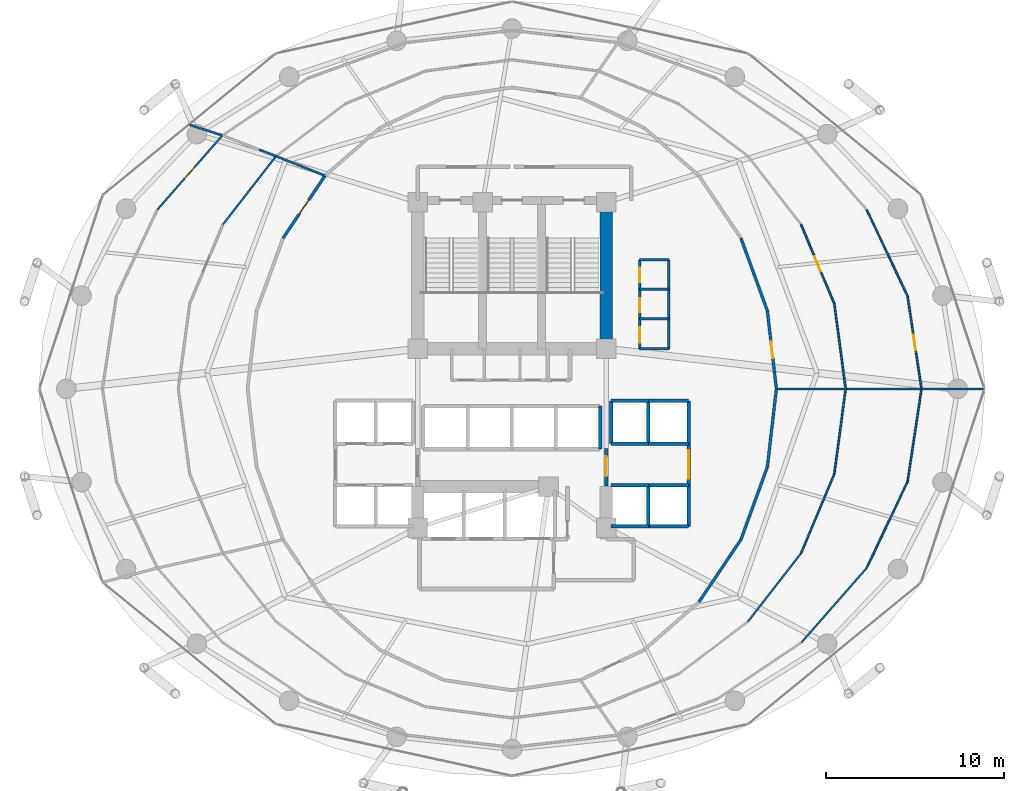
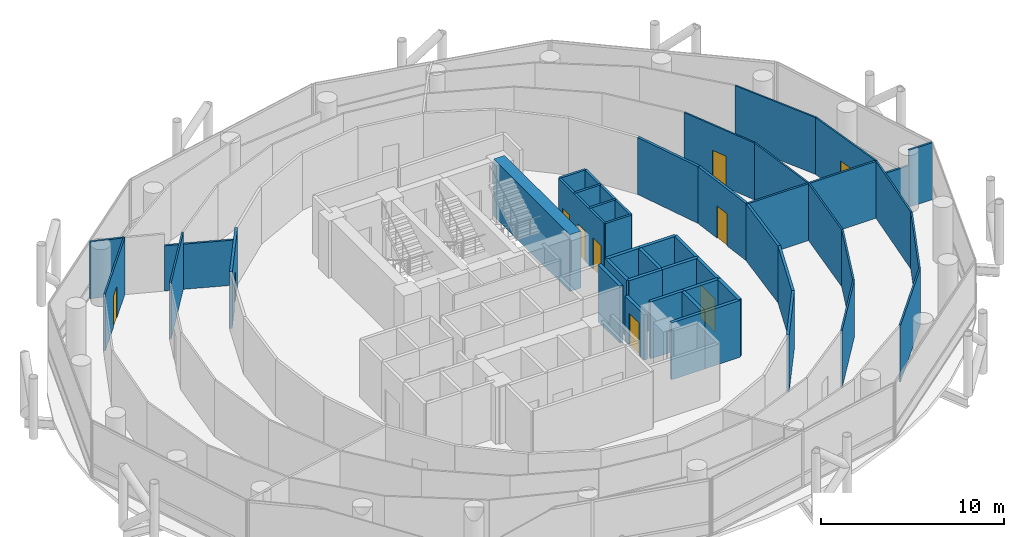
# One storey, part 23 of 26: 48 walls, 10 doors, 10 openings.
"""IFC4 building model written with IfcOpenShell, lengths in metres."""

from ifc_helpers import new_model, si_unit, direction, frame, frame_2d, origin, place, context, subcontext, project, spatial, rectangle, extrude, material, layer, layer_set, type_object, element, fill, save


model = new_model("IFC4")

# Units and contexts
model_context = context("Model", 3, precision=1e-05, world=origin(), true_north=direction((0.0, 1.0)))
body_context = subcontext(model_context, "Body", "Model", "MODEL_VIEW")
ifc_project = project(units=[si_unit("LENGTHUNIT", "METRE"), si_unit("AREAUNIT", "SQUARE_METRE"), si_unit("VOLUMEUNIT", "CUBIC_METRE"), si_unit("PLANEANGLEUNIT", "RADIAN"), si_unit("MASSUNIT", "GRAM", prefix="KILO")], contexts=[model_context])

# Site, building, storey
site_placement = place(None, origin())
site = spatial("IfcSite", under=ifc_project, at=site_placement, CompositionType="ELEMENT")
building_placement = place(site_placement, origin())
building = spatial("IfcBuilding", under=site, at=building_placement, Name="Nuhasar Tower", CompositionType="ELEMENT")
storey_placement = place(building_placement, frame((0.0, 0.0, 97.949951171875)))
storey = spatial("IfcBuildingStorey", under=building, at=storey_placement, Name="L23", CompositionType="ELEMENT", Elevation=97.949951171875)

# Wall
ifc_material_1 = material(Name="Concrete C65/80", Category="concrete")
ifc_layer_1 = layer(ifc_material_1, 0.699951171875)
ifc_layer_set_1 = layer_set([ifc_layer_1], Name="Concrete C65/80")
wall_type_1 = type_object("IfcWallType", Name="WL-CORE-700", PredefinedType="SHEAR", material=ifc_layer_set_1)
wall_1_placement = place(storey_placement, frame((44.300048828125, 29.050048828125, 0.0), z_axis=(0.0, 0.0, 1.0), x_axis=(0.0, 1.0, 0.0)))
element("IfcWall", 1, at=wall_1_placement, inside=storey, type_object=wall_type_1, Name="L23 Core Shear Wall CW-NE CW-700", PredefinedType="SHEAR", context=body_context, shape_type="SweptSolid", body=[
    extrude(rectangle(XDim=8.349853515625, YDim=0.699951171875, at=frame_2d((4.1748046875, 0.0))), origin(), (0.0, 0.0, 1.0), 3.800048828125),
])

# Wall, opening, door
ifc_material_2 = material(Name="Gypsum Board", Category="gypsum")
ifc_layer_2 = layer(ifc_material_2, 0.159912109375)
ifc_layer_set_2 = layer_set([ifc_layer_2], Name="Gypsum Board")
wall_type_2 = type_object("IfcWallType", Name="WL-CORR-160", PredefinedType="PARTITIONING", material=ifc_layer_set_2)
wall_2_placement = place(storey_placement, frame((53.35400390625, 31.18408203125, 0.0), z_axis=(0.0, 0.0, 1.0), x_axis=(0.114680801911, -0.993402392625, 0.0)))
wall_2 = element("IfcWall", 2, at=wall_2_placement, inside=storey, type_object=wall_type_2, Name="L23 Interior Partition CORR-00", PredefinedType="PARTITIONING", context=body_context, shape_type="SweptSolid", body=[
    extrude(rectangle(XDim=4.4130859375, YDim=0.159912109375, at=frame_2d((2.20654296875, 0.0))), origin(), (0.0, 0.0, 1.0), 3.800048828125),
])
opening_1_placement = place(wall_2_placement, frame((1.73193359375, 0.0, 0.0)))
opening_1 = element("IfcOpeningElement", 3, at=opening_1_placement, cuts=wall_2, Name="Opening DO-01", PredefinedType="OPENING", context=body_context, shape_type="SweptSolid", body=[
    extrude(rectangle(XDim=0.949951171875, YDim=2.14990234375, at=frame_2d((0.47509765625, 1.074951171875))), frame((0.0, 0.08984375, 0.0), z_axis=(0.0, -1.0, 0.0), x_axis=(1.0, 0.0, 0.0)), (0.0, 0.0, 1.0), 0.179931640625),
])
ifc_material_3 = material(Name="Timber Oak", Category="wood")
door_type_1 = type_object("IfcDoorType", Name="DR-OFFICE-FD30-950", OperationType="NOTDEFINED", PredefinedType="DOOR", material=ifc_material_3)
door_1_placement = place(opening_1_placement, origin())
door_1 = element("IfcDoor", 4, at=door_1_placement, inside=storey, type_object=door_type_1, Name="L23 Family Office 01 Entry Door", OperationType="SINGLE_SWING_LEFT", OverallHeight=2.14990234375, OverallWidth=0.949951171875, PredefinedType="DOOR", context=body_context, shape_type="SweptSolid", body=[
    extrude(rectangle(XDim=0.949951171875, YDim=2.14990234375, at=frame_2d((0.47509765625, 1.074951171875))), frame((0.0, 0.02490234375, 0.0), z_axis=(0.0, -1.0, 0.0), x_axis=(1.0, 0.0, 0.0)), (0.0, 0.0, 1.0), 0.050048828125),
])
fill(opening_1, door_1)

# Wall
wall_3_placement = place(storey_placement, frame((53.35400390625, 31.18408203125, 0.0), z_axis=(0.0, 0.0, 1.0), x_axis=(-0.341603281562, 0.939844241365, 0.0)))
element("IfcWall", 5, at=wall_3_placement, inside=storey, type_object=wall_type_2, Name="L23 Interior Partition CORR-02", PredefinedType="PARTITIONING", context=body_context, shape_type="SweptSolid", body=[
    extrude(rectangle(XDim=4.347412109375, YDim=0.159912109375, at=frame_2d((2.173828125, 0.0))), origin(), (0.0, 0.0, 1.0), 3.800048828125),
])

# Wall, opening, door
wall_4_placement = place(storey_placement, frame((26.131103515625, 35.27001953125, 0.0), z_axis=(0.0, 0.0, 1.0), x_axis=(0.558319056182, 0.829626320402, 0.0)))
wall_4 = element("IfcWall", 6, at=wall_4_placement, inside=storey, type_object=wall_type_2, Name="L23 Interior Partition CORR-18", PredefinedType="PARTITIONING", context=body_context, shape_type="SweptSolid", body=[
    extrude(rectangle(XDim=4.228515625, YDim=0.159912109375, at=frame_2d((2.1142578125, 0.0))), origin(), (0.0, 0.0, 1.0), 3.800048828125),
])
opening_2_placement = place(wall_4_placement, frame((1.638916015625, 0.0, 0.0)))
opening_2 = element("IfcOpeningElement", 7, at=opening_2_placement, cuts=wall_4, Name="Opening DO-01", PredefinedType="OPENING", context=body_context, shape_type="SweptSolid", body=[
    extrude(rectangle(XDim=0.949951171875, YDim=2.14990234375, at=frame_2d((0.47509765625, 1.074951171875))), frame((0.0, 0.08984375, 0.0), z_axis=(0.0, -1.0, 0.0), x_axis=(1.0, 0.0, 0.0)), (0.0, 0.0, 1.0), 0.179931640625),
])
door_2_placement = place(opening_2_placement, origin())
door_2 = element("IfcDoor", 8, at=door_2_placement, inside=storey, type_object=door_type_1, Name="L23 Private Art Gallery Shop Entry Door", OperationType="SINGLE_SWING_RIGHT", OverallHeight=2.14990234375, OverallWidth=0.949951171875, PredefinedType="DOOR", context=body_context, shape_type="SweptSolid", body=[
    extrude(rectangle(XDim=0.949951171875, YDim=2.14990234375, at=frame_2d((0.47509765625, 1.074951171875))), frame((0.0, 0.02490234375, 0.0), z_axis=(0.0, -1.0, 0.0), x_axis=(1.0, 0.0, 0.0)), (0.0, 0.0, 1.0), 0.050048828125),
])
fill(opening_2, door_2)

# Walls
wall_5_placement = place(storey_placement, frame((49.508056640625, 14.822021484375, 0.0), z_axis=(0.0, 0.0, 1.0), x_axis=(0.558319056182, 0.829626320402, 0.0)))
element("IfcWall", 9, at=wall_5_placement, inside=storey, type_object=wall_type_2, Name="L23 Interior Partition CORR-42", PredefinedType="PARTITIONING", context=body_context, shape_type="SweptSolid", body=[
    extrude(rectangle(XDim=4.228515625, YDim=0.159912109375, at=frame_2d((2.1142578125, 0.0))), origin(), (0.0, 0.0, 1.0), 3.800048828125),
])
wall_6_placement = place(storey_placement, frame((51.868896484375, 18.330078125, 0.0), z_axis=(0.0, 0.0, 1.0), x_axis=(0.341603281562, 0.939844241365, 0.0)))
element("IfcWall", 10, at=wall_6_placement, inside=storey, type_object=wall_type_2, Name="L23 Interior Partition CORR-44", PredefinedType="PARTITIONING", context=body_context, shape_type="SweptSolid", body=[
    extrude(rectangle(XDim=4.347412109375, YDim=0.159912109375, at=frame_2d((2.173828125, 0.0))), origin(), (0.0, 0.0, 1.0), 3.800048828125),
])
wall_7_placement = place(storey_placement, frame((53.35400390625, 22.416015625, 0.0), z_axis=(0.0, 0.0, 1.0), x_axis=(0.114680801911, 0.993402392625, 0.0)))
element("IfcWall", 11, at=wall_7_placement, inside=storey, type_object=wall_type_2, Name="L23 Interior Partition CORR-46", PredefinedType="PARTITIONING", context=body_context, shape_type="SweptSolid", body=[
    extrude(rectangle(XDim=4.4130859375, YDim=0.159912109375, at=frame_2d((2.20654296875, 0.0))), origin(), (0.0, 0.0, 1.0), 3.800048828125),
])

# Wall, opening, door
ifc_material_4 = material(Name="Concrete C45/55", Category="concrete")
ifc_layer_3 = layer(ifc_material_4, 0.199951171875)
ifc_layer_set_3 = layer_set([ifc_layer_3], Name="Concrete C45/55")
wall_type_3 = type_object("IfcWallType", Name="WL-LOBBY-200", PredefinedType="SOLIDWALL", material=ifc_layer_set_3)
wall_8_placement = place(storey_placement, frame((48.929931640625, 21.3798828125, 0.0), z_axis=(0.0, 0.0, 1.0), x_axis=(0.0, 1.0, 0.0)))
wall_8 = element("IfcWall", 12, at=wall_8_placement, inside=storey, type_object=wall_type_3, Name="L23 Interior Partition LLBM-E", PredefinedType="SOLIDWALL", context=body_context, shape_type="SweptSolid", body=[
    extrude(rectangle(XDim=2.340087890625, YDim=0.199951171875, at=frame_2d((1.169921875, 0.0))), origin(), (0.0, 0.0, 1.0), 3.800048828125),
])
opening_3_placement = place(wall_8_placement, frame((0.3701171875, 0.0, 0.0)))
opening_3 = element("IfcOpeningElement", 13, at=opening_3_placement, cuts=wall_8, Name="Opening DC-01", PredefinedType="OPENING", context=body_context, shape_type="SweptSolid", body=[
    extrude(rectangle(XDim=1.60009765625, YDim=2.199951171875, at=frame_2d((0.800048828125, 1.10009765625))), frame((0.0, 0.10986328125, 0.0), z_axis=(0.0, -1.0, 0.0), x_axis=(1.0, 0.0, 0.0)), (0.0, 0.0, 1.0), 0.219970703125),
])
ifc_material_5 = material(Name="Steel S355", Category="steel")
door_type_2 = type_object("IfcDoorType", Name="DR-CORR-FD60-1600", OperationType="DOUBLE_DOOR_SINGLE_SWING", PredefinedType="DOOR", material=ifc_material_5)
door_3_placement = place(opening_3_placement, origin())
door_3 = element("IfcDoor", 14, at=door_3_placement, inside=storey, type_object=door_type_2, Name="L23 Mid-Rise Lift Lobby East Entry", OperationType="DOUBLE_DOOR_SINGLE_SWING", OverallHeight=2.199951171875, OverallWidth=1.60009765625, PredefinedType="DOOR", context=body_context, shape_type="SweptSolid", body=[
    extrude(rectangle(XDim=1.60009765625, YDim=2.199951171875, at=frame_2d((0.800048828125, 1.10009765625))), frame((0.0, 0.02490234375, 0.0), z_axis=(0.0, -1.0, 0.0), x_axis=(1.0, 0.0, 0.0)), (0.0, 0.0, 1.0), 0.050048828125),
])
fill(opening_3, door_3)

wall_9_placement = place(storey_placement, frame((44.300048828125, 21.35009765625, 0.0), z_axis=(0.0, 0.0, 1.0), x_axis=(0.0, 1.0, 0.0)))
wall_9 = element("IfcWall", 15, at=wall_9_placement, inside=storey, type_object=wall_type_3, Name="L23 Interior Partition LLBH-E", PredefinedType="SOLIDWALL", context=body_context, shape_type="SweptSolid", body=[
    extrude(rectangle(XDim=2.099853515625, YDim=0.199951171875, at=frame_2d((1.0498046875, 0.0))), origin(), (0.0, 0.0, 1.0), 3.02001953125),
])
opening_4_placement = place(wall_9_placement, frame((0.550048828125, 0.0, 0.0)))
opening_4 = element("IfcOpeningElement", 16, at=opening_4_placement, cuts=wall_9, Name="Opening DS-02", PredefinedType="OPENING", context=body_context, shape_type="SweptSolid", body=[
    extrude(rectangle(XDim=1.10009765625, YDim=2.14990234375, at=frame_2d((0.550048828125, 1.074951171875))), frame((0.0, 0.10986328125, 0.0), z_axis=(0.0, -1.0, 0.0), x_axis=(1.0, 0.0, 0.0)), (0.0, 0.0, 1.0), 0.219970703125),
])
door_type_3 = type_object("IfcDoorType", Name="DR-FFL-FD120-1100", OperationType="NOTDEFINED", PredefinedType="DOOR", material=ifc_material_5)
door_4_placement = place(opening_4_placement, origin())
door_4 = element("IfcDoor", 17, at=door_4_placement, inside=storey, type_object=door_type_3, Name="L23 High-Rise Lobby East Door", OperationType="SINGLE_SWING_RIGHT", OverallHeight=2.14990234375, OverallWidth=1.10009765625, PredefinedType="DOOR", context=body_context, shape_type="SweptSolid", body=[
    extrude(rectangle(XDim=1.10009765625, YDim=2.14990234375, at=frame_2d((0.550048828125, 1.074951171875))), frame((0.0, 0.02490234375, 0.0), z_axis=(0.0, -1.0, 0.0), x_axis=(1.0, 0.0, 0.0)), (0.0, 0.0, 1.0), 0.050048828125),
])
fill(opening_4, door_4)

# Wall
ifc_material_6 = material(Name="Aluminium 6063-T6", Category="aluminium")
ifc_layer_4 = layer(ifc_material_6, 0.10009765625)
ifc_layer_set_4 = layer_set([ifc_layer_4], Name="Aluminium 6063-T6")
wall_type_4 = type_object("IfcWallType", Name="WL-MOVABLE-100", PredefinedType="MOVABLE", material=ifc_layer_set_4)
wall_10_placement = place(storey_placement, frame((57.7548828125, 26.800048828125, 0.0), z_axis=(0.0, 0.0, 1.0), x_axis=(-0.132299485803, 0.991209789125, 0.0)))
element("IfcWall", 18, at=wall_10_placement, inside=storey, type_object=wall_type_4, Name="L23 Interior Partition OR1-01-00", PredefinedType="MOVABLE", context=body_context, shape_type="SweptSolid", body=[
    extrude(rectangle(XDim=4.829345703125, YDim=0.10009765625, at=frame_2d((2.41455078125, 0.0))), origin(), (0.0, 0.0, 1.0), 3.800048828125),
])

# Wall, opening, door
wall_11_placement = place(storey_placement, frame((57.115966796875, 31.5869140625, 0.0), z_axis=(0.0, 0.0, 1.0), x_axis=(-0.387289954907, 0.921957965869, 0.0)))
wall_11 = element("IfcWall", 19, at=wall_11_placement, inside=storey, type_object=wall_type_4, Name="L23 Interior Partition OR1-01-02", PredefinedType="MOVABLE", context=body_context, shape_type="SweptSolid", body=[
    extrude(rectangle(XDim=4.8388671875, YDim=0.10009765625, at=frame_2d((2.41943359375, 0.0))), origin(), (0.0, 0.0, 1.0), 3.800048828125),
])
opening_5_placement = place(wall_11_placement, frame((1.968994140625, 0.0, 0.0)))
opening_5 = element("IfcOpeningElement", 20, at=opening_5_placement, cuts=wall_11, Name="Opening DR-01", PredefinedType="OPENING", context=body_context, shape_type="SweptSolid", body=[
    extrude(rectangle(XDim=0.89990234375, YDim=2.10009765625, at=frame_2d((0.449951171875, 1.050048828125))), frame((0.0, 0.06005859375, 0.0), z_axis=(0.0, -1.0, 0.0), x_axis=(1.0, 0.0, 0.0)), (0.0, 0.0, 1.0), 0.1201171875),
])
door_type_4 = type_object("IfcDoorType", Name="DR-ROOM-900", OperationType="NOTDEFINED", PredefinedType="DOOR", material=ifc_material_3)
door_5_placement = place(opening_5_placement, origin())
door_5 = element("IfcDoor", 21, at=door_5_placement, inside=storey, type_object=door_type_4, Name="L23 Family Office 01 Mid Door", OperationType="SINGLE_SWING_LEFT", OverallHeight=2.10009765625, OverallWidth=0.89990234375, PredefinedType="DOOR", context=body_context, shape_type="SweptSolid", body=[
    extrude(rectangle(XDim=0.89990234375, YDim=2.10009765625, at=frame_2d((0.449951171875, 1.050048828125))), frame((0.0, 0.02490234375, 0.0), z_axis=(0.0, -1.0, 0.0), x_axis=(1.0, 0.0, 0.0)), (0.0, 0.0, 1.0), 0.050048828125),
])
fill(opening_5, door_5)

wall_12_placement = place(storey_placement, frame((62.01806640625, 26.800048828125, 0.0), z_axis=(0.0, 0.0, 1.0), x_axis=(-0.148729896957, 0.988877857853, 0.0)))
wall_12 = element("IfcWall", 22, at=wall_12_placement, inside=storey, type_object=wall_type_4, Name="L23 Interior Partition OR2-01-00", PredefinedType="MOVABLE", context=body_context, shape_type="SweptSolid", body=[
    extrude(rectangle(XDim=5.2724609375, YDim=0.10009765625, at=frame_2d((2.63623046875, 0.0))), origin(), (0.0, 0.0, 1.0), 3.800048828125),
])
opening_6_placement = place(wall_12_placement, frame((2.18603515625, 0.0, 0.0)))
opening_6 = element("IfcOpeningElement", 23, at=opening_6_placement, cuts=wall_12, Name="Opening DR-01", PredefinedType="OPENING", context=body_context, shape_type="SweptSolid", body=[
    extrude(rectangle(XDim=0.89990234375, YDim=2.10009765625, at=frame_2d((0.449951171875, 1.050048828125))), frame((0.0, 0.06005859375, 0.0), z_axis=(0.0, -1.0, 0.0), x_axis=(1.0, 0.0, 0.0)), (0.0, 0.0, 1.0), 0.1201171875),
])
door_6_placement = place(opening_6_placement, origin())
door_6 = element("IfcDoor", 24, at=door_6_placement, inside=storey, type_object=door_type_4, Name="L23 Family Office 01 Outer Door", OperationType="SINGLE_SWING_LEFT", OverallHeight=2.10009765625, OverallWidth=0.89990234375, PredefinedType="DOOR", context=body_context, shape_type="SweptSolid", body=[
    extrude(rectangle(XDim=0.89990234375, YDim=2.10009765625, at=frame_2d((0.449951171875, 1.050048828125))), frame((0.0, 0.02490234375, 0.0), z_axis=(0.0, -1.0, 0.0), x_axis=(1.0, 0.0, 0.0)), (0.0, 0.0, 1.0), 0.050048828125),
])
fill(opening_6, door_6)

# Walls
wall_13_placement = place(storey_placement, frame((61.23388671875, 32.013916015625, 0.0), z_axis=(0.0, 0.0, 1.0), x_axis=(-0.42779935224, 0.903873726924, 0.0)))
element("IfcWall", 25, at=wall_13_placement, inside=storey, type_object=wall_type_4, Name="L23 Interior Partition OR2-01-02", PredefinedType="MOVABLE", context=body_context, shape_type="SweptSolid", body=[
    extrude(rectangle(XDim=5.3759765625, YDim=0.10009765625, at=frame_2d((2.68798828125, 0.0))), origin(), (0.0, 0.0, 1.0), 3.800048828125),
])
wall_14_placement = place(storey_placement, frame((25.738037109375, 39.87890625, 0.0), z_axis=(0.0, 0.0, 1.0), x_axis=(-0.613999814684, -0.789306168459, 0.0)))
element("IfcWall", 26, at=wall_14_placement, inside=storey, type_object=wall_type_4, Name="L23 Interior Partition OR1-03-18", PredefinedType="MOVABLE", context=body_context, shape_type="SweptSolid", body=[
    extrude(rectangle(XDim=4.853271484375, YDim=0.10009765625, at=frame_2d((2.4267578125, 0.0))), origin(), (0.0, 0.0, 1.0), 3.800048828125),
])

# Wall, opening, door
wall_15_placement = place(storey_placement, frame((22.72412109375, 41.044921875, 0.0), z_axis=(0.0, 0.0, 1.0), x_axis=(-0.659301696391, -0.751878496258, 0.0)))
wall_15 = element("IfcWall", 27, at=wall_15_placement, inside=storey, type_object=wall_type_4, Name="L23 Interior Partition OR2-03-18", PredefinedType="MOVABLE", context=body_context, shape_type="SweptSolid", body=[
    extrude(rectangle(XDim=5.548583984375, YDim=0.10009765625, at=frame_2d((2.7744140625, 0.0))), origin(), (0.0, 0.0, 1.0), 3.800048828125),
])
opening_7_placement = place(wall_15_placement, frame((2.323974609375, 0.0, 0.0)))
opening_7 = element("IfcOpeningElement", 28, at=opening_7_placement, cuts=wall_15, Name="Opening DR-01", PredefinedType="OPENING", context=body_context, shape_type="SweptSolid", body=[
    extrude(rectangle(XDim=0.89990234375, YDim=2.10009765625, at=frame_2d((0.449951171875, 1.050048828125))), frame((0.0, 0.06005859375, 0.0), z_axis=(0.0, -1.0, 0.0), x_axis=(1.0, 0.0, 0.0)), (0.0, 0.0, 1.0), 0.1201171875),
])
door_7_placement = place(opening_7_placement, origin())
door_7 = element("IfcDoor", 29, at=door_7_placement, inside=storey, type_object=door_type_4, Name="L23 Private Art Gallery Shop Outer Door", OperationType="SINGLE_SWING_LEFT", OverallHeight=2.10009765625, OverallWidth=0.89990234375, PredefinedType="DOOR", context=body_context, shape_type="SweptSolid", body=[
    extrude(rectangle(XDim=0.89990234375, YDim=2.10009765625, at=frame_2d((0.449951171875, 1.050048828125))), frame((0.0, 0.02490234375, 0.0), z_axis=(0.0, -1.0, 0.0), x_axis=(1.0, 0.0, 0.0)), (0.0, 0.0, 1.0), 0.050048828125),
])
fill(opening_7, door_7)

# Walls
wall_16_placement = place(storey_placement, frame((52.261962890625, 13.720947265625, 0.0), z_axis=(0.0, 0.0, 1.0), x_axis=(0.613975436768, 0.789325131391, 0.0)))
element("IfcWall", 30, at=wall_16_placement, inside=storey, type_object=wall_type_4, Name="L23 Interior Partition OR1-05-42", PredefinedType="MOVABLE", context=body_context, shape_type="SweptSolid", body=[
    extrude(rectangle(XDim=4.853515625, YDim=0.10009765625, at=frame_2d((2.4267578125, 0.0))), origin(), (0.0, 0.0, 1.0), 3.800048828125),
])
wall_17_placement = place(storey_placement, frame((55.241943359375, 17.552001953125, 0.0), z_axis=(0.0, 0.0, 1.0), x_axis=(0.387307971266, 0.921950397469, 0.0)))
element("IfcWall", 31, at=wall_17_placement, inside=storey, type_object=wall_type_4, Name="L23 Interior Partition OR1-05-44", PredefinedType="MOVABLE", context=body_context, shape_type="SweptSolid", body=[
    extrude(rectangle(XDim=4.838623046875, YDim=0.10009765625, at=frame_2d((2.41943359375, 0.0))), origin(), (0.0, 0.0, 1.0), 3.800048828125),
])
wall_18_placement = place(storey_placement, frame((57.115966796875, 22.012939453125, 0.0), z_axis=(0.0, 0.0, 1.0), x_axis=(0.132292856672, 0.99121067391, 0.0)))
element("IfcWall", 32, at=wall_18_placement, inside=storey, type_object=wall_type_4, Name="L23 Interior Partition OR1-05-46", PredefinedType="MOVABLE", context=body_context, shape_type="SweptSolid", body=[
    extrude(rectangle(XDim=4.82958984375, YDim=0.10009765625, at=frame_2d((2.414794921875, 0.0))), origin(), (0.0, 0.0, 1.0), 3.800048828125),
])
wall_19_placement = place(storey_placement, frame((55.27587890625, 12.554931640625, 0.0), z_axis=(0.0, 0.0, 1.0), x_axis=(0.659279885197, 0.751897621338, 0.0)))
element("IfcWall", 33, at=wall_19_placement, inside=storey, type_object=wall_type_4, Name="L23 Interior Partition OR2-05-42", PredefinedType="MOVABLE", context=body_context, shape_type="SweptSolid", body=[
    extrude(rectangle(XDim=5.548828125, YDim=0.10009765625, at=frame_2d((2.7744140625, 0.0))), origin(), (0.0, 0.0, 1.0), 3.800048828125),
])
wall_20_placement = place(storey_placement, frame((58.93408203125, 16.72705078125, 0.0), z_axis=(0.0, 0.0, 1.0), x_axis=(0.427816913389, 0.903865415102, 0.0)))
element("IfcWall", 34, at=wall_20_placement, inside=storey, type_object=wall_type_4, Name="L23 Interior Partition OR2-05-44", PredefinedType="MOVABLE", context=body_context, shape_type="SweptSolid", body=[
    extrude(rectangle(XDim=5.375732421875, YDim=0.10009765625, at=frame_2d((2.68798828125, 0.0))), origin(), (0.0, 0.0, 1.0), 3.800048828125),
])
wall_21_placement = place(storey_placement, frame((61.23388671875, 21.5859375, 0.0), z_axis=(0.0, 0.0, 1.0), x_axis=(0.148723087006, 0.988878882064, 0.0)))
element("IfcWall", 35, at=wall_21_placement, inside=storey, type_object=wall_type_4, Name="L23 Interior Partition OR2-05-46", PredefinedType="MOVABLE", context=body_context, shape_type="SweptSolid", body=[
    extrude(rectangle(XDim=5.272705078125, YDim=0.10009765625, at=frame_2d((2.63623046875, 0.0))), origin(), (0.0, 0.0, 1.0), 3.800048828125),
])
ifc_layer_5 = layer(ifc_material_2, 0.125)
ifc_layer_set_5 = layer_set([ifc_layer_5], Name="Gypsum Board")
wall_type_5 = type_object("IfcWallType", Name="WL-PART-125", PredefinedType="PARTITIONING", material=ifc_layer_set_5)
wall_22_placement = place(storey_placement, frame((53.860107421875, 26.800048828125, 0.0), z_axis=(0.0, 0.0, 1.0), x_axis=(1.0, 0.0, 0.0)))
element("IfcWall", 36, at=wall_22_placement, inside=storey, type_object=wall_type_5, Name="L23 Interior Partition ORAD7-00-S1", PredefinedType="PARTITIONING", context=body_context, shape_type="SweptSolid", body=[
    extrude(rectangle(XDim=3.894775390625, YDim=0.125, at=frame_2d((1.947265625, 0.0))), origin(), (0.0, 0.0, 1.0), 3.800048828125),
])
wall_23_placement = place(storey_placement, frame((57.7548828125, 26.800048828125, 0.0), z_axis=(0.0, 0.0, 1.0), x_axis=(1.0, 0.0, 0.0)))
element("IfcWall", 37, at=wall_23_placement, inside=storey, type_object=wall_type_5, Name="L23 Interior Partition ORAD7-00-S2", PredefinedType="PARTITIONING", context=body_context, shape_type="SweptSolid", body=[
    extrude(rectangle(XDim=4.26318359375, YDim=0.125, at=frame_2d((2.131591796875, 0.0))), origin(), (0.0, 0.0, 1.0), 3.800048828125),
])
wall_24_placement = place(storey_placement, frame((62.01806640625, 26.800048828125, 0.0), z_axis=(0.0, 0.0, 1.0), x_axis=(1.0, 0.0, 0.0)))
element("IfcWall", 38, at=wall_24_placement, inside=storey, type_object=wall_type_5, Name="L23 Interior Partition ORAD7-00-S3", PredefinedType="PARTITIONING", context=body_context, shape_type="SweptSolid", body=[
    extrude(rectangle(XDim=2.038818359375, YDim=0.125, at=frame_2d((1.01953125, 0.0))), origin(), (0.0, 0.0, 1.0), 2.7900390625),
])
wall_25_placement = place(storey_placement, frame((64.056884765625, 26.800048828125, 0.0), z_axis=(0.0, 0.0, 1.0), x_axis=(1.0, 0.0, 0.0)))
element("IfcWall", 39, at=wall_25_placement, inside=storey, type_object=wall_type_5, Name="L23 Interior Partition ORAD7-00-S3", PredefinedType="PARTITIONING", context=body_context, shape_type="SweptSolid", body=[
    extrude(rectangle(XDim=1.468017578125, YDim=0.125, at=frame_2d((0.73388671875, 0.0))), origin(), (0.0, 0.0, 1.0), 3.800048828125),
])
wall_26_placement = place(storey_placement, frame((28.491943359375, 38.778076171875, 0.0), z_axis=(0.0, 0.0, 1.0), x_axis=(-0.928561824385, 0.371177771822, 0.0)))
element("IfcWall", 40, at=wall_26_placement, inside=storey, type_object=wall_type_5, Name="L23 Interior Partition ORAD7-18-S1", PredefinedType="PARTITIONING", context=body_context, shape_type="SweptSolid", body=[
    extrude(rectangle(XDim=2.9658203125, YDim=0.125, at=frame_2d((1.48291015625, 0.0))), origin(), (0.0, 0.0, 1.0), 3.02001953125),
])
wall_27_placement = place(storey_placement, frame((25.738037109375, 39.87890625, 0.0), z_axis=(0.0, 0.0, 1.0), x_axis=(-0.932693379072, 0.360670293531, 0.0)))
element("IfcWall", 41, at=wall_27_placement, inside=storey, type_object=wall_type_5, Name="L23 Interior Partition ORAD7-18-S2", PredefinedType="PARTITIONING", context=body_context, shape_type="SweptSolid", body=[
    extrude(rectangle(XDim=1.015380859375, YDim=0.125, at=frame_2d((0.5078125, 0.0))), origin(), (0.0, 0.0, 1.0), 3.02001953125),
])
wall_28_placement = place(storey_placement, frame((22.72412109375, 41.044921875, 0.0), z_axis=(0.0, 0.0, 1.0), x_axis=(-0.951840581079, 0.306593392314, 0.0)))
element("IfcWall", 42, at=wall_28_placement, inside=storey, type_object=wall_type_5, Name="L23 Interior Partition ORAD7-18-S3", PredefinedType="PARTITIONING", context=body_context, shape_type="SweptSolid", body=[
    extrude(rectangle(XDim=1.934326171875, YDim=0.125, at=frame_2d((0.96728515625, 0.0))), origin(), (0.0, 0.0, 1.0), 3.800048828125),
])
ifc_layer_6 = layer(ifc_material_4, 0.199951171875)
ifc_layer_set_6 = layer_set([ifc_layer_6], Name="Concrete C45/55")
wall_type_6 = type_object("IfcWallType", Name="WL-SHAFT-200", PredefinedType="SOLIDWALL", material=ifc_layer_set_6)
for number, where, z_axis, x_axis, name in (
    (43, (44.570068359375, 23.719970703125, 0.0), (0.0, 0.0, 1.0), (1.0, 0.0, 0.0), "L23 Interior Partition SHF-PL-M01-S"),
    (44, (44.570068359375, 26.1298828125, 0.0), (0.0, 0.0, 1.0), (1.0, 0.0, 0.0), "L23 Interior Partition SHF-PL-M01-N"),
):
    element("IfcWall", number, at=place(storey_placement, frame(where, z_axis=z_axis, x_axis=x_axis)), inside=storey, type_object=wall_type_6, Name=name, PredefinedType="SOLIDWALL", context=body_context, shape_type="SweptSolid", body=[
        extrude(rectangle(XDim=2.10986328125, YDim=0.199951171875, at=frame_2d((1.054931640625, 0.0))), origin(), (0.0, 0.0, 1.0), 3.800048828125),
    ])
for number, where, z_axis, x_axis, name in (
    (45, (44.570068359375, 23.719970703125, 0.0), (0.0, 0.0, 1.0), (0.0, 1.0, 0.0), "L23 Interior Partition SHF-PL-M01-W"),
    (46, (46.64990234375, 23.719970703125, 0.0), (0.0, 0.0, 1.0), (0.0, 1.0, 0.0), "L23 Interior Partition SHF-PL-M01-E"),
):
    element("IfcWall", number, at=place(storey_placement, frame(where, z_axis=z_axis, x_axis=x_axis)), inside=storey, type_object=wall_type_6, Name=name, PredefinedType="SOLIDWALL", context=body_context, shape_type="SweptSolid", body=[
        extrude(rectangle(XDim=2.409912109375, YDim=0.199951171875, at=frame_2d((1.205078125, 0.0))), origin(), (0.0, 0.0, 1.0), 3.800048828125),
    ])
for number, where, z_axis, x_axis, name in (
    (47, (46.6201171875, 23.719970703125, 0.0), (0.0, 0.0, 1.0), (1.0, 0.0, 0.0), "L23 Interior Partition SHF-PL-M02-S"),
    (48, (46.6201171875, 26.1298828125, 0.0), (0.0, 0.0, 1.0), (1.0, 0.0, 0.0), "L23 Interior Partition SHF-PL-M02-N"),
):
    element("IfcWall", number, at=place(storey_placement, frame(where, z_axis=z_axis, x_axis=x_axis)), inside=storey, type_object=wall_type_6, Name=name, PredefinedType="SOLIDWALL", context=body_context, shape_type="SweptSolid", body=[
        extrude(rectangle(XDim=2.309814453125, YDim=0.199951171875, at=frame_2d((1.15478515625, 0.0))), origin(), (0.0, 0.0, 1.0), 3.800048828125),
    ])
wall_29_placement = place(storey_placement, frame((48.929931640625, 23.719970703125, 0.0), z_axis=(0.0, 0.0, 1.0), x_axis=(0.0, 1.0, 0.0)))
element("IfcWall", 49, at=wall_29_placement, inside=storey, type_object=wall_type_6, Name="L23 Interior Partition SHF-PL-M02-E", PredefinedType="SOLIDWALL", context=body_context, shape_type="SweptSolid", body=[
    extrude(rectangle(XDim=2.409912109375, YDim=0.199951171875, at=frame_2d((1.205078125, 0.0))), origin(), (0.0, 0.0, 1.0), 3.800048828125),
])
for number, where, z_axis, x_axis, name in (
    (50, (44.570068359375, 19.070068359375, 0.0), (0.0, 0.0, 1.0), (1.0, 0.0, 0.0), "L23 Interior Partition SHF-PL-M03-S"),
    (51, (44.570068359375, 21.3798828125, 0.0), (0.0, 0.0, 1.0), (1.0, 0.0, 0.0), "L23 Interior Partition SHF-PL-M03-N"),
):
    element("IfcWall", number, at=place(storey_placement, frame(where, z_axis=z_axis, x_axis=x_axis)), inside=storey, type_object=wall_type_6, Name=name, PredefinedType="SOLIDWALL", context=body_context, shape_type="SweptSolid", body=[
        extrude(rectangle(XDim=2.10986328125, YDim=0.199951171875, at=frame_2d((1.054931640625, 0.0))), origin(), (0.0, 0.0, 1.0), 3.800048828125),
    ])
for number, where, z_axis, x_axis, name in (
    (52, (46.64990234375, 19.070068359375, 0.0), (0.0, 0.0, 1.0), (0.0, 1.0, 0.0), "L23 Interior Partition SHF-PL-M03-E"),
    (53, (46.6201171875, 19.070068359375, 0.0), (0.0, 0.0, 1.0), (1.0, 0.0, 0.0), "L23 Interior Partition SHF-PL-M04-S"),
    (54, (46.6201171875, 21.3798828125, 0.0), (0.0, 0.0, 1.0), (1.0, 0.0, 0.0), "L23 Interior Partition SHF-PL-M04-N"),
    (55, (48.929931640625, 19.070068359375, 0.0), (0.0, 0.0, 1.0), (0.0, 1.0, 0.0), "L23 Interior Partition SHF-PL-M04-E"),
):
    element("IfcWall", number, at=place(storey_placement, frame(where, z_axis=z_axis, x_axis=x_axis)), inside=storey, type_object=wall_type_6, Name=name, PredefinedType="SOLIDWALL", context=body_context, shape_type="SweptSolid", body=[
        extrude(rectangle(XDim=2.309814453125, YDim=0.199951171875, at=frame_2d((1.15478515625, 0.0))), origin(), (0.0, 0.0, 1.0), 3.800048828125),
    ])
wall_30_placement = place(storey_placement, frame((43.9599609375, 23.419921875, 0.0), z_axis=(0.0, 0.0, 1.0), x_axis=(0.0, 1.0, 0.0)))
element("IfcWall", 56, at=wall_30_placement, inside=storey, type_object=wall_type_6, Name="L23 Interior Partition SHF-PL-H04-E", PredefinedType="SOLIDWALL", context=body_context, shape_type="SweptSolid", body=[
    extrude(rectangle(XDim=2.41015625, YDim=0.199951171875, at=frame_2d((1.205078125, 0.0))), origin(), (0.0, 0.0, 1.0), 3.800048828125),
])

# Wall, openings, doors
ifc_material_7 = material(Name="Concrete C40/50 precast", Category="concrete")
ifc_layer_7 = layer(ifc_material_7, 0.139892578125)
ifc_layer_set_7 = layer_set([ifc_layer_7], Name="Concrete C40/50 precast")
wall_type_7 = type_object("IfcWallType", Name="WL-WET-140", PredefinedType="PARTITIONING", material=ifc_layer_set_7)
wall_31_placement = place(storey_placement, frame((46.179931640625, 34.050048828125, 0.0), z_axis=(0.0, 0.0, 1.0), x_axis=(0.0, -1.0, 0.0)))
wall_31 = element("IfcWall", 57, at=wall_31_placement, inside=storey, type_object=wall_type_7, Name="L23 Interior Partition K1-NE-W", PredefinedType="PARTITIONING", context=body_context, shape_type="SweptSolid", body=[
    extrude(rectangle(XDim=5.0, YDim=0.139892578125, at=frame_2d((2.5, 0.0))), origin(), (0.0, 0.0, 1.0), 3.800048828125),
])
opening_8_placement = place(wall_31_placement, frame((3.800048828125, 0.0, 0.0)))
opening_8 = element("IfcOpeningElement", 58, at=opening_8_placement, cuts=wall_31, Name="Opening DB-01", PredefinedType="OPENING", context=body_context, shape_type="SweptSolid", body=[
    extrude(rectangle(XDim=0.85009765625, YDim=2.10009765625, at=frame_2d((0.425048828125, 1.050048828125))), frame((0.0, 0.080078125, 0.0), z_axis=(0.0, -1.0, 0.0), x_axis=(1.0, 0.0, 0.0)), (0.0, 0.0, 1.0), 0.159912109375),
])
opening_9_placement = place(wall_31_placement, frame((2.14990234375, 0.0, 0.0)))
opening_9 = element("IfcOpeningElement", 59, at=opening_9_placement, cuts=wall_31, Name="Opening DM-01", PredefinedType="OPENING", context=body_context, shape_type="SweptSolid", body=[
    extrude(rectangle(XDim=0.800048828125, YDim=2.050048828125, at=frame_2d((0.39990234375, 1.02490234375))), frame((0.0, 0.080078125, 0.0), z_axis=(0.0, -1.0, 0.0), x_axis=(1.0, 0.0, 0.0)), (0.0, 0.0, 1.0), 0.159912109375),
])
opening_10_placement = place(wall_31_placement, frame((0.449951171875, 0.0, 0.0)))
opening_10 = element("IfcOpeningElement", 60, at=opening_10_placement, cuts=wall_31, Name="Opening DM-01", PredefinedType="OPENING", context=body_context, shape_type="SweptSolid", body=[
    extrude(rectangle(XDim=0.800048828125, YDim=2.050048828125, at=frame_2d((0.39990234375, 1.02490234375))), frame((0.0, 0.080078125, 0.0), z_axis=(0.0, -1.0, 0.0), x_axis=(1.0, 0.0, 0.0)), (0.0, 0.0, 1.0), 0.159912109375),
])
door_type_5 = type_object("IfcDoorType", Name="DR-BATH-850", OperationType="NOTDEFINED", PredefinedType="DOOR", material=ifc_material_3)
door_8_placement = place(opening_8_placement, origin())
door_8 = element("IfcDoor", 61, at=door_8_placement, inside=storey, type_object=door_type_5, Name="L23 NE Female WC Door", OperationType="SINGLE_SWING_RIGHT", OverallHeight=2.10009765625, OverallWidth=0.85009765625, PredefinedType="DOOR", context=body_context, shape_type="SweptSolid", body=[
    extrude(rectangle(XDim=0.85009765625, YDim=2.10009765625, at=frame_2d((0.425048828125, 1.050048828125))), frame((0.0, 0.02490234375, 0.0), z_axis=(0.0, -1.0, 0.0), x_axis=(1.0, 0.0, 0.0)), (0.0, 0.0, 1.0), 0.050048828125),
])
fill(opening_8, door_8)
door_type_6 = type_object("IfcDoorType", Name="DR-RISER-FD60-800", OperationType="NOTDEFINED", PredefinedType="DOOR", material=ifc_material_5)
door_9_placement = place(opening_9_placement, origin())
door_9 = element("IfcDoor", 62, at=door_9_placement, inside=storey, type_object=door_type_6, Name="L23 NE Meter Door", OperationType="SINGLE_SWING_RIGHT", OverallHeight=2.050048828125, OverallWidth=0.800048828125, PredefinedType="DOOR", context=body_context, shape_type="SweptSolid", body=[
    extrude(rectangle(XDim=0.800048828125, YDim=2.050048828125, at=frame_2d((0.39990234375, 1.02490234375))), frame((0.0, 0.02490234375, 0.0), z_axis=(0.0, -1.0, 0.0), x_axis=(1.0, 0.0, 0.0)), (0.0, 0.0, 1.0), 0.050048828125),
])
fill(opening_9, door_9)
door_10_placement = place(opening_10_placement, origin())
door_10 = element("IfcDoor", 63, at=door_10_placement, inside=storey, type_object=door_type_6, Name="L23 NE Telecom Door", OperationType="SINGLE_SWING_LEFT", OverallHeight=2.050048828125, OverallWidth=0.800048828125, PredefinedType="DOOR", context=body_context, shape_type="SweptSolid", body=[
    extrude(rectangle(XDim=0.800048828125, YDim=2.050048828125, at=frame_2d((0.39990234375, 1.02490234375))), frame((0.0, 0.02490234375, 0.0), z_axis=(0.0, -1.0, 0.0), x_axis=(1.0, 0.0, 0.0)), (0.0, 0.0, 1.0), 0.050048828125),
])
fill(opening_10, door_10)

# Walls
for number, where, z_axis, x_axis, name in (
    (64, (46.179931640625, 29.050048828125, 0.0), (0.0, 0.0, 1.0), (1.0, 0.0, 0.0), "L23 Interior Partition K1-NE-S"),
    (65, (46.179931640625, 30.75, 0.0), (0.0, 0.0, 1.0), (1.0, 0.0, 0.0), "L23 Interior Partition K1-NE-M1"),
    (66, (46.179931640625, 32.39990234375, 0.0), (0.0, 0.0, 1.0), (1.0, 0.0, 0.0), "L23 Interior Partition K1-NE-M2"),
    (67, (46.179931640625, 34.050048828125, 0.0), (0.0, 0.0, 1.0), (1.0, 0.0, 0.0), "L23 Interior Partition K1-NE-N"),
):
    element("IfcWall", number, at=place(storey_placement, frame(where, z_axis=z_axis, x_axis=x_axis)), inside=storey, type_object=wall_type_7, Name=name, PredefinedType="PARTITIONING", context=body_context, shape_type="SweptSolid", body=[
        extrude(rectangle(XDim=1.64013671875, YDim=0.139892578125, at=frame_2d((0.820068359375, 0.0))), origin(), (0.0, 0.0, 1.0), 3.800048828125),
    ])
wall_32_placement = place(storey_placement, frame((47.820068359375, 29.050048828125, 0.0), z_axis=(0.0, 0.0, 1.0), x_axis=(0.0, 1.0, 0.0)))
element("IfcWall", 68, at=wall_32_placement, inside=storey, type_object=wall_type_7, Name="L23 Interior Partition K1-NE-E", PredefinedType="PARTITIONING", context=body_context, shape_type="SweptSolid", body=[
    extrude(rectangle(XDim=5.0, YDim=0.139892578125, at=frame_2d((2.5, 0.0))), origin(), (0.0, 0.0, 1.0), 3.800048828125),
])

save(model, "model.ifc")
